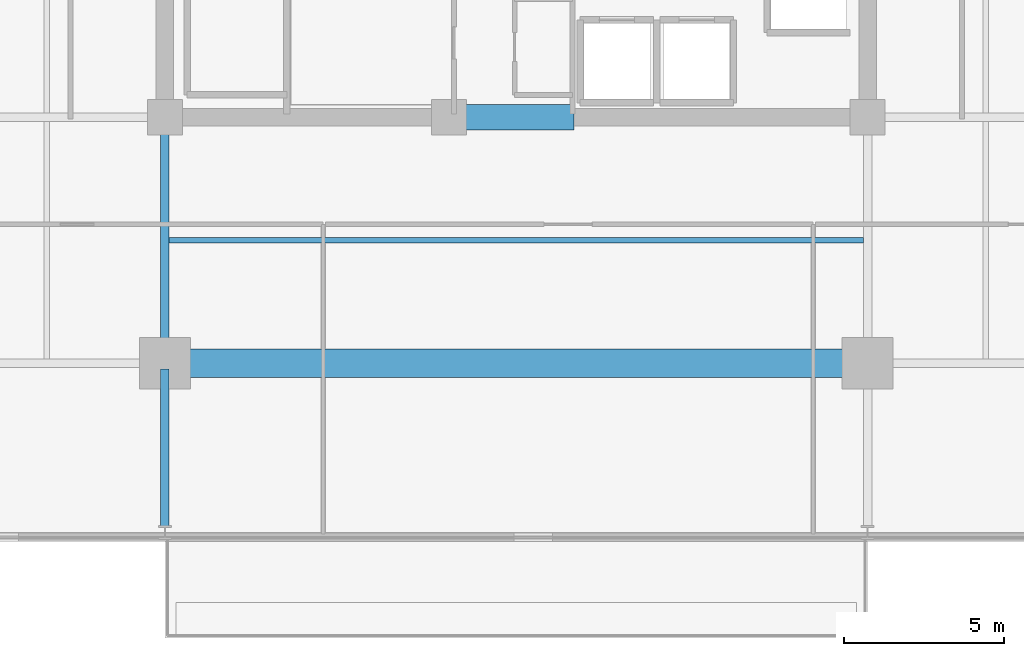
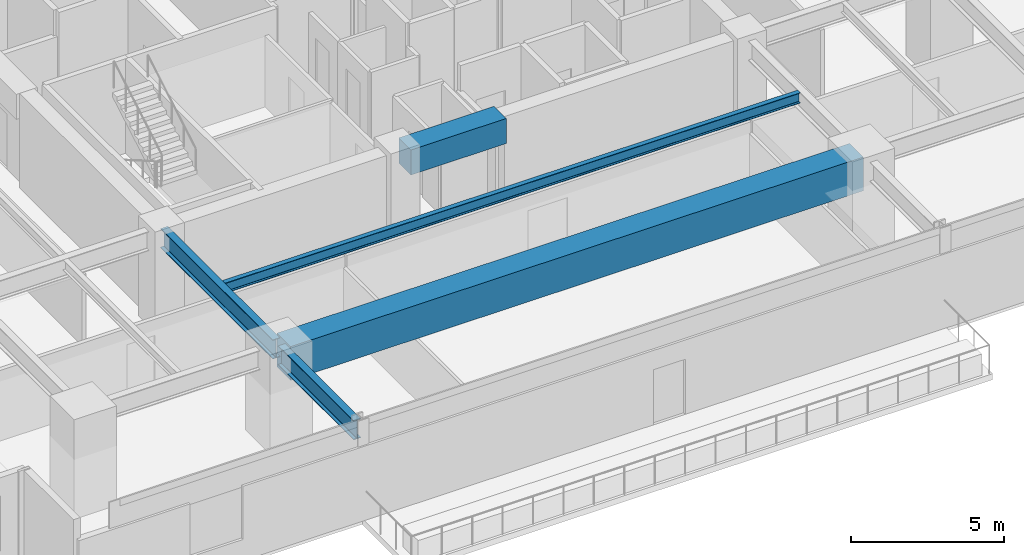
# One storey, part 3 of 22: 5 beams.
"""IFC4 building model written with IfcOpenShell, lengths in metres."""

from ifc_helpers import new_model, si_unit, direction, frame, origin, origin_2d, place, context, subcontext, project, spatial, rectangle, i_section, extrude, material, material_profile, profile_set, type_object, element, save


model = new_model("IFC4")

# Units and contexts
model_context = context("Model", 3, precision=1e-05, world=origin(), true_north=direction((0.0, 1.0)))
body_context = subcontext(model_context, "Body", "Model", "MODEL_VIEW")
ifc_project = project(units=[si_unit("LENGTHUNIT", "METRE"), si_unit("AREAUNIT", "SQUARE_METRE"), si_unit("VOLUMEUNIT", "CUBIC_METRE"), si_unit("PLANEANGLEUNIT", "RADIAN"), si_unit("MASSUNIT", "GRAM", prefix="KILO")], contexts=[model_context])

# Site, building, storey
site_placement = place(None, origin())
site = spatial("IfcSite", under=ifc_project, at=site_placement, CompositionType="ELEMENT")
building_placement = place(site_placement, origin())
building = spatial("IfcBuilding", under=site, at=building_placement, Name="Kovane Verandah Tower", CompositionType="ELEMENT")
storey_placement = place(building_placement, frame((0.0, 0.0, 156.39990234375)))
storey = spatial("IfcBuildingStorey", under=building, at=storey_placement, Name="L36", CompositionType="ELEMENT", Elevation=156.39990234375)

# Beams
ifc_material_1 = material(Name="Concrete C60/75", Category="concrete")
ifc_material_profile_1 = material_profile(ifc_material_1, rectangle(XDim=0.800048828125, YDim=1.0, at=origin_2d()), Name="RCB800x1000")
ifc_profile_set_1 = profile_set([ifc_material_profile_1], Name="Concrete C60/75")
beam_type_1 = type_object("IfcBeamType", Name="BM-LINTEL-800x1000", PredefinedType="LINTEL", material=ifc_profile_set_1)
beam_1_placement = place(storey_placement, frame((38.199951171875, 18.5, 3.275146484375), z_axis=(1.0, 0.0, 0.0), x_axis=(0.0, 1.0, 0.0)))
element("IfcBeam", 1, at=beam_1_placement, inside=storey, type_object=beam_type_1, Name="L36 Core Coupling Lintel CL-S", PredefinedType="LINTEL", context=body_context, shape_type="SweptSolid", body=[
    extrude(rectangle(XDim=0.800048828125, YDim=1.0, at=origin_2d()), origin(), (0.0, 0.0, 1.0), 3.60009765625),
])
ifc_material_2 = material(Name="Concrete C80/95", Category="concrete")
ifc_material_profile_2 = material_profile(ifc_material_2, rectangle(XDim=0.89990234375, YDim=1.35009765625, at=origin_2d()), Name="RCB900x1350")
ifc_profile_set_2 = profile_set([ifc_material_profile_2], Name="Concrete C80/95")
beam_type_2 = type_object("IfcBeamType", Name="BM-TR-900x1350", PredefinedType="BEAM", material=ifc_profile_set_2)
beam_2_placement = place(storey_placement, frame((29.179931640625, 10.800048828125, 3.10009765625), z_axis=(1.0, 0.0, 0.0), x_axis=(0.0, 1.0, 0.0)))
element("IfcBeam", 2, at=beam_2_placement, inside=storey, type_object=beam_type_2, Name="L36 Primary Tower Girder G-RS2", PredefinedType="BEAM", context=body_context, shape_type="SweptSolid", body=[
    extrude(rectangle(XDim=0.89990234375, YDim=1.35009765625, at=origin_2d()), origin(), (0.0, 0.0, 1.0), 21.64013671875),
])
ifc_material_3 = material(Name="Steel S355", Category="steel")
ifc_material_profile_3 = material_profile(ifc_material_3, i_section(OverallWidth=0.26806640625, OverallDepth=0.769775390625, WebThickness=0.015625, FlangeThickness=0.025390625, FilletRadius=0.0166015625, at=origin_2d()), Name="UB762x267x197")
ifc_profile_set_3 = profile_set([ifc_material_profile_3], Name="Steel S355")
beam_type_3 = type_object("IfcBeamType", Name="BM-UB762x197", PredefinedType="BEAM", material=ifc_profile_set_3)
beam_3_placement = place(storey_placement, frame((29.0, 18.320068359375, 3.39013671875), z_axis=(0.0, -1.0, 0.0), x_axis=(1.0, 0.0, 0.0)))
element("IfcBeam", 3, at=beam_3_placement, inside=storey, type_object=beam_type_3, Name="L36 Primary Tower Girder G-S1", PredefinedType="BEAM", context=body_context, shape_type="SweptSolid", body=[
    extrude(i_section(OverallWidth=0.26806640625, OverallDepth=0.769775390625, WebThickness=0.015625, FlangeThickness=0.025390625, FilletRadius=0.0166015625, at=origin_2d()), origin(), (0.0, 0.0, 1.0), 7.340087890625),
])
beam_4_placement = place(storey_placement, frame((29.0, 10.6201171875, 3.375244140625), z_axis=(0.0, -1.0, 0.0), x_axis=(1.0, 0.0, 0.0)))
element("IfcBeam", 4, at=beam_4_placement, inside=storey, type_object=beam_type_3, Name="L36 Primary Tower Girder G-VS1", PredefinedType="BEAM", context=body_context, shape_type="SweptSolid", body=[
    extrude(i_section(OverallWidth=0.26806640625, OverallDepth=0.769775390625, WebThickness=0.015625, FlangeThickness=0.025390625, FilletRadius=0.0166015625, at=origin_2d()), origin(), (0.0, 0.0, 1.0), 4.940185546875),
])
ifc_material_profile_4 = material_profile(ifc_material_3, i_section(OverallWidth=0.179443359375, OverallDepth=0.412841796875, WebThickness=0.009521484375, FlangeThickness=0.01611328125, FilletRadius=0.01025390625, at=origin_2d()), Name="UB406x178x74")
ifc_profile_set_4 = profile_set([ifc_material_profile_4], Name="Steel S355")
beam_type_4 = type_object("IfcBeamType", Name="JST-UB406x74", PredefinedType="JOIST", material=ifc_profile_set_4)
beam_5_placement = place(storey_placement, frame((29.132080078125, 14.64990234375, 3.568603515625), z_axis=(1.0, 0.0, 0.0), x_axis=(0.0, 1.0, 0.0)))
element("IfcBeam", 5, at=beam_5_placement, inside=storey, type_object=beam_type_4, Name="L36 Secondary Composite Joist J-S1", PredefinedType="JOIST", context=body_context, shape_type="SweptSolid", body=[
    extrude(i_section(OverallWidth=0.179443359375, OverallDepth=0.412841796875, WebThickness=0.009521484375, FlangeThickness=0.01611328125, FilletRadius=0.01025390625, at=origin_2d()), origin(), (0.0, 0.0, 1.0), 21.73583984375),
])

save(model, "model.ifc")
